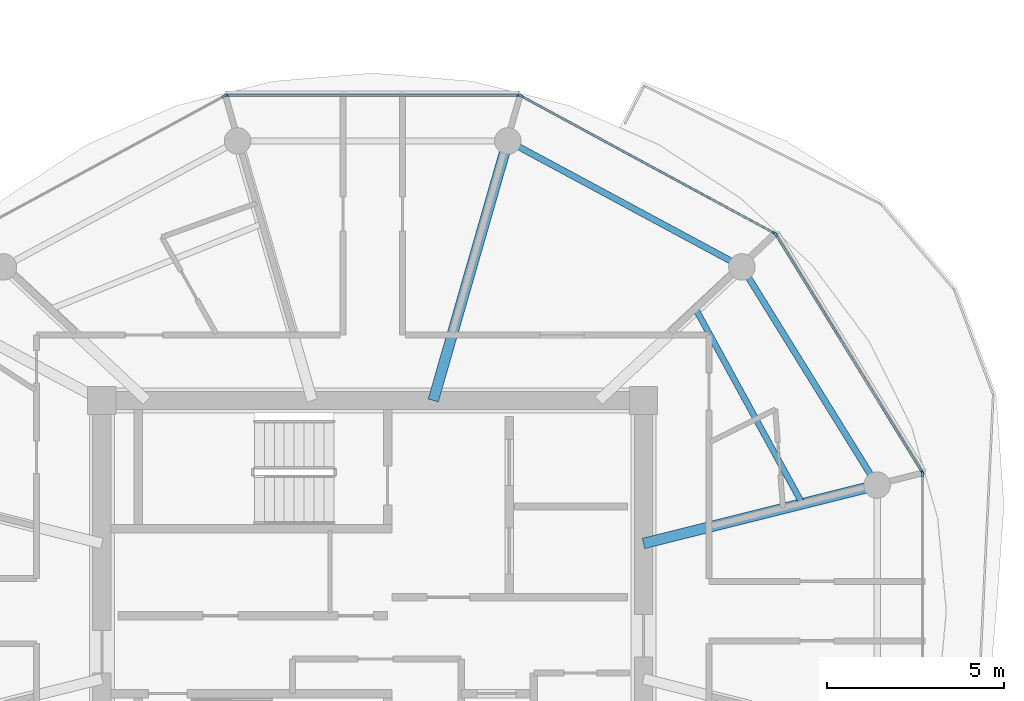
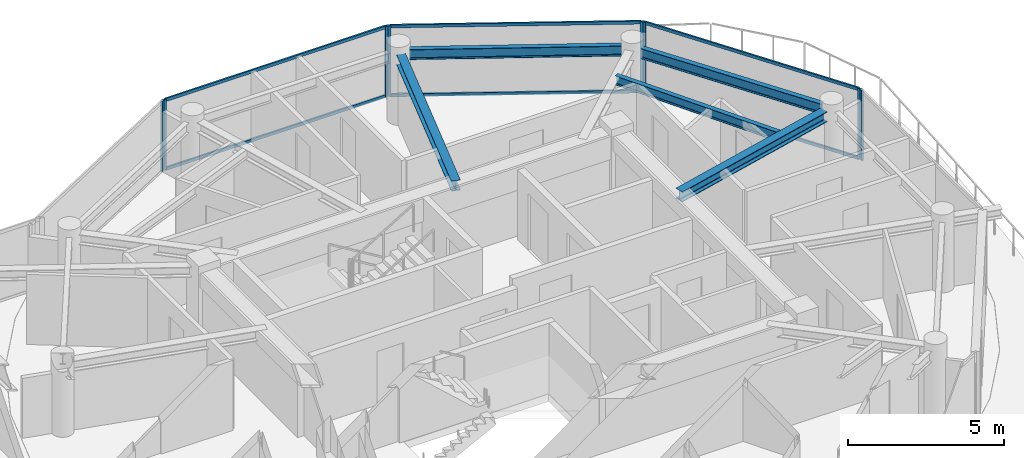
# One storey, part 11 of 23: 14 members, 5 beams, 5 elements without a shape of their own.
"""IFC4 building model written with IfcOpenShell, lengths in metres."""

from ifc_helpers import new_model, si_unit, direction, frame, origin, origin_2d, place, context, subcontext, project, spatial, rectangle, i_section, extrude, source, transform, mapped, material, layer, layer_set, material_profile, profile_set, type_object, type_shapes, element, aggregate, save


model = new_model("IFC4")

# Units and contexts
model_context = context("Model", 3, precision=1e-05, world=origin(), true_north=direction((0.0, 1.0)))
body_context = subcontext(model_context, "Body", "Model", "MODEL_VIEW")
ifc_project = project(units=[si_unit("LENGTHUNIT", "METRE"), si_unit("AREAUNIT", "SQUARE_METRE"), si_unit("VOLUMEUNIT", "CUBIC_METRE"), si_unit("PLANEANGLEUNIT", "RADIAN"), si_unit("MASSUNIT", "GRAM", prefix="KILO")], contexts=[model_context])

# Site, building, storey
site_placement = place(None, origin())
site = spatial("IfcSite", under=ifc_project, at=site_placement, CompositionType="ELEMENT")
building_placement = place(site_placement, origin())
building = spatial("IfcBuilding", under=site, at=building_placement, Name="Norrkilde Senior Care Towers", CompositionType="ELEMENT")
storey_placement = place(building_placement, frame((0.0, 0.0, 207.800048828125)))
storey = spatial("IfcBuildingStorey", under=building, at=storey_placement, Name="L64", CompositionType="ELEMENT", Elevation=207.800048828125)

# Beams
ifc_material_1 = material(Name="Steel S355", Category="steel")
ifc_material_profile_1 = material_profile(ifc_material_1, i_section(OverallWidth=0.179931640625, OverallDepth=0.39990234375, WebThickness=0.008544921875, FlangeThickness=0.013427734375, FilletRadius=0.02099609375, at=origin_2d()), Name="IPE 400")
ifc_profile_set_1 = profile_set([ifc_material_profile_1], Name="Steel S355")
beam_type_1 = type_object("IfcBeamType", Name="Perimeter Ring Spandrel Z4 IPE400", PredefinedType="SPANDREL", material=ifc_profile_set_1)
shared_shape_1 = source(origin(), body_context, "Body", "SweptSolid", [
    extrude(i_section(OverallWidth=0.179931640625, OverallDepth=0.39990234375, WebThickness=0.008544921875, FlangeThickness=0.013427734375, FilletRadius=0.02099609375, at=origin_2d()), origin(), (0.0, 0.0, 1.0), 6.58056640625),
])
beam_1_placement = place(storey_placement, frame((42.071044921875, 3.843505859375, 2.56005859375), z_axis=(-0.526529583789, 0.850156807533, 0.0), x_axis=(-0.850156807533, -0.526529583789, 0.0)))
element("IfcBeam", 1, at=beam_1_placement, inside=storey, type_object=beam_type_1, Name="L64 Drum E Perimeter Spandrel 01", PredefinedType="SPANDREL", context=body_context, shape_type="MappedRepresentation", body=[
    mapped(shared_shape_1, transform((0.0, 0.0, 0.0), x_axis=(1.0, 0.0, 0.0), y_axis=(0.0, 1.0, 0.0), z_axis=(0.0, 0.0, 1.0), scale=1.0)),
])
ifc_material_profile_2 = material_profile(ifc_material_1, i_section(OverallWidth=0.300048828125, OverallDepth=0.39990234375, WebThickness=0.013427734375, FlangeThickness=0.02392578125, FilletRadius=0.027099609375, at=origin_2d()), Name="HEB 400")
ifc_profile_set_2 = profile_set([ifc_material_profile_2], Name="Steel S355")
beam_type_2 = type_object("IfcBeamType", Name="Radial Floor Beam Z4 HEB400", PredefinedType="BEAM", material=ifc_profile_set_2)
shared_shape_2 = source(origin(), body_context, "Body", "SweptSolid", [
    extrude(i_section(OverallWidth=0.300048828125, OverallDepth=0.39990234375, WebThickness=0.013427734375, FlangeThickness=0.02392578125, FilletRadius=0.027099609375, at=origin_2d()), origin(), (0.0, 0.0, 1.0), 6.465087890625),
])
beam_2_placement = place(storey_placement, frame((35.64990234375, 1.910888671875, 2.56005859375), z_axis=(0.970195788563, 0.242322371758, 0.0), x_axis=(-0.242322371758, 0.970195788563, 0.0)))
element("IfcBeam", 2, at=beam_2_placement, inside=storey, type_object=beam_type_2, Name="L64 Drum E Radial Floor Beam 01", PredefinedType="BEAM", context=body_context, shape_type="MappedRepresentation", body=[
    mapped(shared_shape_2, transform((0.0, 0.0, 0.0), x_axis=(1.0, 0.0, 0.0), y_axis=(0.0, 1.0, 0.0), z_axis=(0.0, 0.0, 1.0), scale=1.0)),
])
shared_shape_3 = source(origin(), body_context, "Body", "SweptSolid", [
    extrude(i_section(OverallWidth=0.179931640625, OverallDepth=0.39990234375, WebThickness=0.008544921875, FlangeThickness=0.013427734375, FilletRadius=0.02099609375, at=origin_2d()), origin(), (0.0, 0.0, 1.0), 6.839111328125),
])
type_shapes(beam_type_1, [shared_shape_1, shared_shape_3])
beam_3_placement = place(storey_placement, frame((38.134765625, 9.881591796875, 2.56005859375), z_axis=(-0.880563930732, 0.473927382511, 0.0), x_axis=(-0.473927382511, -0.880563930732, 0.0)))
element("IfcBeam", 3, at=beam_3_placement, inside=storey, type_object=beam_type_1, Name="L64 Drum E Perimeter Spandrel 02", PredefinedType="SPANDREL", context=body_context, shape_type="MappedRepresentation", body=[
    mapped(shared_shape_3, transform((0.0, 0.0, 0.0), x_axis=(1.0, 0.0, 0.0), y_axis=(0.0, 1.0, 0.0), z_axis=(0.0, 0.0, 1.0), scale=1.0)),
])
shared_shape_4 = source(origin(), body_context, "Body", "SweptSolid", [
    extrude(i_section(OverallWidth=0.300048828125, OverallDepth=0.39990234375, WebThickness=0.013427734375, FlangeThickness=0.02392578125, FilletRadius=0.027099609375, at=origin_2d()), origin(), (0.0, 0.0, 1.0), 7.29345703125),
])
type_shapes(beam_type_2, [shared_shape_2, shared_shape_4])
beam_4_placement = place(storey_placement, frame((29.710205078125, 5.949951171875, 2.56005859375), z_axis=(0.276263751906, 0.961081858836, 0.0), x_axis=(-0.961081858836, 0.276263751906, 0.0)))
element("IfcBeam", 4, at=beam_4_placement, inside=storey, type_object=beam_type_2, Name="L64 Drum E Radial Floor Beam 03", PredefinedType="BEAM", context=body_context, shape_type="MappedRepresentation", body=[
    mapped(shared_shape_4, transform((0.0, 0.0, 0.0), x_axis=(1.0, 0.0, 0.0), y_axis=(0.0, 1.0, 0.0), z_axis=(0.0, 0.0, 1.0), scale=1.0)),
])
ifc_material_profile_3 = material_profile(ifc_material_1, i_section(OverallWidth=0.169921875, OverallDepth=0.360107421875, WebThickness=0.008056640625, FlangeThickness=0.0126953125, FilletRadius=0.01806640625, at=origin_2d()), Name="IPE 360")
ifc_profile_set_3 = profile_set([ifc_material_profile_3], Name="Steel S355")
beam_type_3 = type_object("IfcBeamType", Name="Secondary Floor Joist IPE360", PredefinedType="JOIST", material=ifc_profile_set_3)
shared_shape_5 = source(origin(), body_context, "Body", "SweptSolid", [
    extrude(i_section(OverallWidth=0.169921875, OverallDepth=0.360107421875, WebThickness=0.008056640625, FlangeThickness=0.0126953125, FilletRadius=0.01806640625, at=origin_2d()), origin(), (0.0, 0.0, 1.0), 6.25146484375),
])
type_shapes(beam_type_3, [shared_shape_5])
beam_5_placement = place(storey_placement, frame((40.13623046875, 3.031494140625, 2.579833984375), z_axis=(-0.480115752653, 0.877205143655, 0.0), x_axis=(-0.877205143655, -0.480115752653, 0.0)))
element("IfcBeam", 5, at=beam_5_placement, inside=storey, type_object=beam_type_3, Name="L64 Drum E Secondary Floor Joist 1", PredefinedType="JOIST", context=body_context, shape_type="MappedRepresentation", body=[
    mapped(shared_shape_5, transform((0.0, 0.0, 0.0), x_axis=(1.0, 0.0, 0.0), y_axis=(0.0, 1.0, 0.0), z_axis=(0.0, 0.0, 1.0), scale=1.0)),
])

# Curtain wall, members
ifc_material_2 = material(Name="Triple Low-E Insulated Glazing", Category="glass")
ifc_layer = layer(ifc_material_2, 0.18505859375)
ifc_layer_set = layer_set([ifc_layer], Name="Triple Low-E Insulated Glazing")
curtain_wall_type = type_object("IfcCurtainWallType", Name="CW6 Zone 4 Crown Pavilion Curtain Wall", PredefinedType="NOTDEFINED", material=ifc_layer_set)
curtain_wall_1_placement = place(storey_placement, origin())
curtain_wall_1 = element("IfcCurtainWall", 6, at=curtain_wall_1_placement, inside=storey, type_object=curtain_wall_type, Name="L64 Drum E Curtain Wall 00", PredefinedType="NOTDEFINED")
ifc_material_3 = material(Name="Anodised Aluminium", Category="aluminium")
ifc_material_profile_4 = material_profile(ifc_material_3, rectangle(XDim=0.06005859375, YDim=0.1201171875, at=origin_2d()), Name="ALU TRAN 60x120")
ifc_profile_set_4 = profile_set([ifc_material_profile_4], Name="Anodised Aluminium")
member_type_1 = type_object("IfcMemberType", Name="Curtain Wall Transom Typical 60x120", PredefinedType="USERDEFINED", material=ifc_profile_set_4)
shared_shape_6 = source(origin(), body_context, "Body", "SweptSolid", [
    extrude(rectangle(XDim=0.06005859375, YDim=0.1201171875, at=origin_2d()), origin(), (0.0, 0.0, 1.0), 7.808837890625),
])
member_1_placement = place(storey_placement, frame((39.404296875, 10.60791015625, 0.030029296875), z_axis=(0.524250924101, -0.851563837055, 0.0), x_axis=(0.851563837055, 0.524250924101, 0.0)))
member_1 = element("IfcMember", 7, at=member_1_placement, type_object=member_type_1, Name="CW-6 transom 1.1", ObjectType="TRANSOM", PredefinedType="USERDEFINED", context=body_context, shape_type="MappedRepresentation", body=[
    mapped(shared_shape_6, transform((0.0, 0.0, 0.0), x_axis=(1.0, 0.0, 0.0), y_axis=(0.0, 1.0, 0.0), z_axis=(0.0, 0.0, 1.0), scale=1.0)),
])
member_2_placement = place(storey_placement, frame((39.404296875, 10.60791015625, 2.72998046875), z_axis=(0.524250924101, -0.851563837055, 0.0), x_axis=(0.851563837055, 0.524250924101, 0.0)))
member_2 = element("IfcMember", 8, at=member_2_placement, type_object=member_type_1, Name="CW-6 transom 1.2", ObjectType="TRANSOM", PredefinedType="USERDEFINED", context=body_context, shape_type="MappedRepresentation", body=[
    mapped(shared_shape_6, transform((0.0, 0.0, 0.0), x_axis=(1.0, 0.0, 0.0), y_axis=(0.0, 1.0, 0.0), z_axis=(0.0, 0.0, 1.0), scale=1.0)),
])

curtain_wall_2_placement = place(storey_placement, origin())
curtain_wall_2 = element("IfcCurtainWall", 9, at=curtain_wall_2_placement, inside=storey, type_object=curtain_wall_type, Name="L64 Drum E Curtain Wall 02", PredefinedType="NOTDEFINED")
shared_shape_7 = source(origin(), body_context, "Body", "SweptSolid", [
    extrude(rectangle(XDim=0.06005859375, YDim=0.1201171875, at=origin_2d()), origin(), (0.0, 0.0, 1.0), 8.19384765625),
])
member_3_placement = place(storey_placement, frame((23.903076171875, 14.566162109375, 0.030029296875), z_axis=(1.0, 0.0, 0.0), x_axis=(0.0, 1.0, 0.0)))
member_3 = element("IfcMember", 10, at=member_3_placement, type_object=member_type_1, Name="CW-6 transom 1.1", ObjectType="TRANSOM", PredefinedType="USERDEFINED", context=body_context, shape_type="MappedRepresentation", body=[
    mapped(shared_shape_7, transform((0.0, 0.0, 0.0), x_axis=(1.0, 0.0, 0.0), y_axis=(0.0, 1.0, 0.0), z_axis=(0.0, 0.0, 1.0), scale=1.0)),
])
member_4_placement = place(storey_placement, frame((23.903076171875, 14.566162109375, 2.72998046875), z_axis=(1.0, 0.0, 0.0), x_axis=(0.0, 1.0, 0.0)))
member_4 = element("IfcMember", 11, at=member_4_placement, type_object=member_type_1, Name="CW-6 transom 1.2", ObjectType="TRANSOM", PredefinedType="USERDEFINED", context=body_context, shape_type="MappedRepresentation", body=[
    mapped(shared_shape_7, transform((0.0, 0.0, 0.0), x_axis=(1.0, 0.0, 0.0), y_axis=(0.0, 1.0, 0.0), z_axis=(0.0, 0.0, 1.0), scale=1.0)),
])

curtain_wall_3_placement = place(storey_placement, origin())
curtain_wall_3 = element("IfcCurtainWall", 12, at=curtain_wall_3_placement, inside=storey, type_object=curtain_wall_type, Name="L64 Drum E Curtain Wall 01", PredefinedType="NOTDEFINED")
shared_shape_8 = source(origin(), body_context, "Body", "SweptSolid", [
    extrude(rectangle(XDim=0.06005859375, YDim=0.1201171875, at=origin_2d()), origin(), (0.0, 0.0, 1.0), 8.0673828125),
])
type_shapes(member_type_1, [shared_shape_6, shared_shape_7, shared_shape_8])
member_5_placement = place(storey_placement, frame((32.218994140625, 14.53515625, 0.030029296875), z_axis=(0.87937750072, -0.476125205411, 0.0), x_axis=(0.476125205411, 0.87937750072, 0.0)))
member_5 = element("IfcMember", 13, at=member_5_placement, type_object=member_type_1, Name="CW-6 transom 1.1", ObjectType="TRANSOM", PredefinedType="USERDEFINED", context=body_context, shape_type="MappedRepresentation", body=[
    mapped(shared_shape_8, transform((0.0, 0.0, 0.0), x_axis=(1.0, 0.0, 0.0), y_axis=(0.0, 1.0, 0.0), z_axis=(0.0, 0.0, 1.0), scale=1.0)),
])
member_6_placement = place(storey_placement, frame((32.218994140625, 14.53515625, 2.72998046875), z_axis=(0.87937750072, -0.476125205411, 0.0), x_axis=(0.476125205411, 0.87937750072, 0.0)))
member_6 = element("IfcMember", 14, at=member_6_placement, type_object=member_type_1, Name="CW-6 transom 1.2", ObjectType="TRANSOM", PredefinedType="USERDEFINED", context=body_context, shape_type="MappedRepresentation", body=[
    mapped(shared_shape_8, transform((0.0, 0.0, 0.0), x_axis=(1.0, 0.0, 0.0), y_axis=(0.0, 1.0, 0.0), z_axis=(0.0, 0.0, 1.0), scale=1.0)),
])

# Member
ifc_material_profile_5 = material_profile(ifc_material_3, rectangle(XDim=0.06494140625, YDim=0.14990234375, at=origin_2d()), Name="ALU MULL 65x150")
ifc_profile_set_5 = profile_set([ifc_material_profile_5], Name="Anodised Aluminium")
member_type_2 = type_object("IfcMemberType", Name="Curtain Wall Mullion Z3-Z4 65x150", PredefinedType="MULLION", material=ifc_profile_set_5)
shared_shape_9 = source(origin(), body_context, "Body", "SweptSolid", [
    extrude(rectangle(XDim=0.06494140625, YDim=0.14990234375, at=origin_2d()), origin(), (0.0, 0.0, 1.0), 2.760009765625),
])
type_shapes(member_type_2, [shared_shape_9])
member_7_placement = place(storey_placement, frame((39.38720703125, 10.635498046875, 0.0), z_axis=(0.0, 0.0, 1.0), x_axis=(0.851562727283, 0.524252726748, 0.0)))
member_7 = element("IfcMember", 15, at=member_7_placement, type_object=member_type_2, Name="CW-6 mullion 1", PredefinedType="MULLION", context=body_context, shape_type="MappedRepresentation", body=[
    mapped(shared_shape_9, transform((0.0, 0.0, 0.0), x_axis=(1.0, 0.0, 0.0), y_axis=(0.0, 1.0, 0.0), z_axis=(0.0, 0.0, 1.0), scale=1.0)),
])

member_8_placement = place(storey_placement, frame((43.51513671875, 3.9306640625, 0.0), z_axis=(0.0, 0.0, 1.0), x_axis=(0.851562727283, 0.524252726748, 0.0)))
member_8 = element("IfcMember", 16, at=member_8_placement, type_object=member_type_2, Name="CW-6 mullion 2", PredefinedType="MULLION", context=body_context, shape_type="MappedRepresentation", body=[
    mapped(shared_shape_9, transform((0.0, 0.0, 0.0), x_axis=(1.0, 0.0, 0.0), y_axis=(0.0, 1.0, 0.0), z_axis=(0.0, 0.0, 1.0), scale=1.0)),
])

aggregate(curtain_wall_1, [member_7, member_8, member_1, member_2])

member_9_placement = place(storey_placement, frame((32.1904296875, 14.55078125, 0.0), z_axis=(0.0, 0.0, 1.0), x_axis=(0.476132676136, 0.879373455772, 0.0)))
member_9 = element("IfcMember", 17, at=member_9_placement, type_object=member_type_2, Name="CW-6 mullion 1", PredefinedType="MULLION", context=body_context, shape_type="MappedRepresentation", body=[
    mapped(shared_shape_9, transform((0.0, 0.0, 0.0), x_axis=(1.0, 0.0, 0.0), y_axis=(0.0, 1.0, 0.0), z_axis=(0.0, 0.0, 1.0), scale=1.0)),
])

member_10_placement = place(storey_placement, frame((39.341796875, 10.6787109375, 0.0), z_axis=(0.0, 0.0, 1.0), x_axis=(0.476132676136, 0.879373455772, 0.0)))
member_10 = element("IfcMember", 18, at=member_10_placement, type_object=member_type_2, Name="CW-6 mullion 2", PredefinedType="MULLION", context=body_context, shape_type="MappedRepresentation", body=[
    mapped(shared_shape_9, transform((0.0, 0.0, 0.0), x_axis=(1.0, 0.0, 0.0), y_axis=(0.0, 1.0, 0.0), z_axis=(0.0, 0.0, 1.0), scale=1.0)),
])

aggregate(curtain_wall_3, [member_9, member_10, member_5, member_6])

member_11_placement = place(storey_placement, frame((23.87060546875, 14.566162109375, 0.0), z_axis=(0.0, 0.0, 1.0), x_axis=(0.0, 1.0, 0.0)))
member_11 = element("IfcMember", 19, at=member_11_placement, type_object=member_type_2, Name="CW-6 mullion 1", PredefinedType="MULLION", context=body_context, shape_type="MappedRepresentation", body=[
    mapped(shared_shape_9, transform((0.0, 0.0, 0.0), x_axis=(1.0, 0.0, 0.0), y_axis=(0.0, 1.0, 0.0), z_axis=(0.0, 0.0, 1.0), scale=1.0)),
])

member_12_placement = place(storey_placement, frame((32.12939453125, 14.566162109375, 0.0), z_axis=(0.0, 0.0, 1.0), x_axis=(0.0, 1.0, 0.0)))
member_12 = element("IfcMember", 20, at=member_12_placement, type_object=member_type_2, Name="CW-6 mullion 2", PredefinedType="MULLION", context=body_context, shape_type="MappedRepresentation", body=[
    mapped(shared_shape_9, transform((0.0, 0.0, 0.0), x_axis=(1.0, 0.0, 0.0), y_axis=(0.0, 1.0, 0.0), z_axis=(0.0, 0.0, 1.0), scale=1.0)),
])

aggregate(curtain_wall_2, [member_11, member_12, member_3, member_4])

# Curtain wall, member
curtain_wall_4_placement = place(storey_placement, origin())
curtain_wall_4 = element("IfcCurtainWall", 21, at=curtain_wall_4_placement, inside=storey, type_object=curtain_wall_type, Name="L64 Drum E Curtain Wall 03", PredefinedType="NOTDEFINED")
member_13_placement = place(storey_placement, frame((23.8095703125, 14.55078125, 0.0), z_axis=(0.0, 0.0, 1.0), x_axis=(-0.476132676136, 0.879373455772, 0.0)))
member_13 = element("IfcMember", 22, at=member_13_placement, type_object=member_type_2, Name="CW-6 mullion 2", PredefinedType="MULLION", context=body_context, shape_type="MappedRepresentation", body=[
    mapped(shared_shape_9, transform((0.0, 0.0, 0.0), x_axis=(1.0, 0.0, 0.0), y_axis=(0.0, 1.0, 0.0), z_axis=(0.0, 0.0, 1.0), scale=1.0)),
])
aggregate(curtain_wall_4, [member_13])

curtain_wall_5_placement = place(storey_placement, origin())
curtain_wall_5 = element("IfcCurtainWall", 23, at=curtain_wall_5_placement, inside=storey, type_object=curtain_wall_type, Name="L64 Drum E Curtain Wall 11", PredefinedType="NOTDEFINED")
member_14_placement = place(storey_placement, frame((43.531982421875, 3.87060546875, 0.0), z_axis=(0.0, 0.0, 1.0), x_axis=(1.0, 0.0, 0.0)))
member_14 = element("IfcMember", 24, at=member_14_placement, type_object=member_type_2, Name="CW-6 mullion 1", PredefinedType="MULLION", context=body_context, shape_type="MappedRepresentation", body=[
    mapped(shared_shape_9, transform((0.0, 0.0, 0.0), x_axis=(1.0, 0.0, 0.0), y_axis=(0.0, 1.0, 0.0), z_axis=(0.0, 0.0, 1.0), scale=1.0)),
])
aggregate(curtain_wall_5, [member_14])

save(model, "model.ifc")
